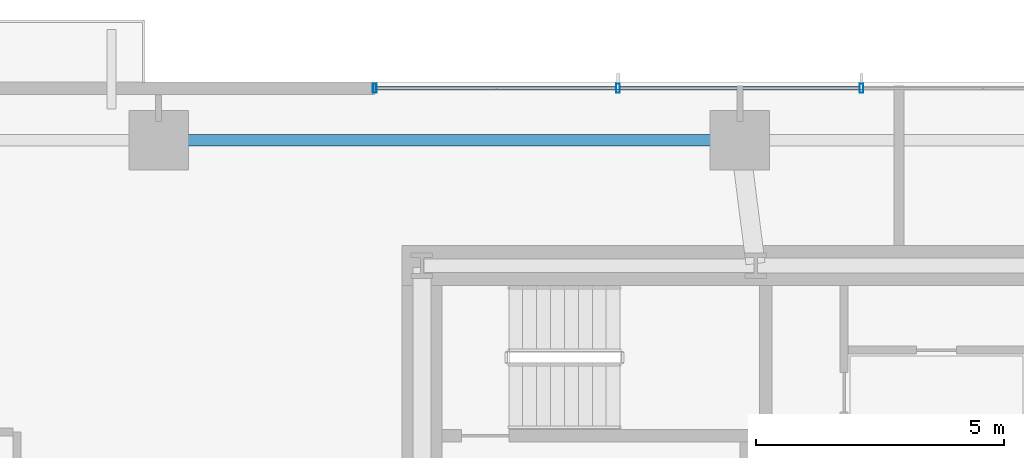
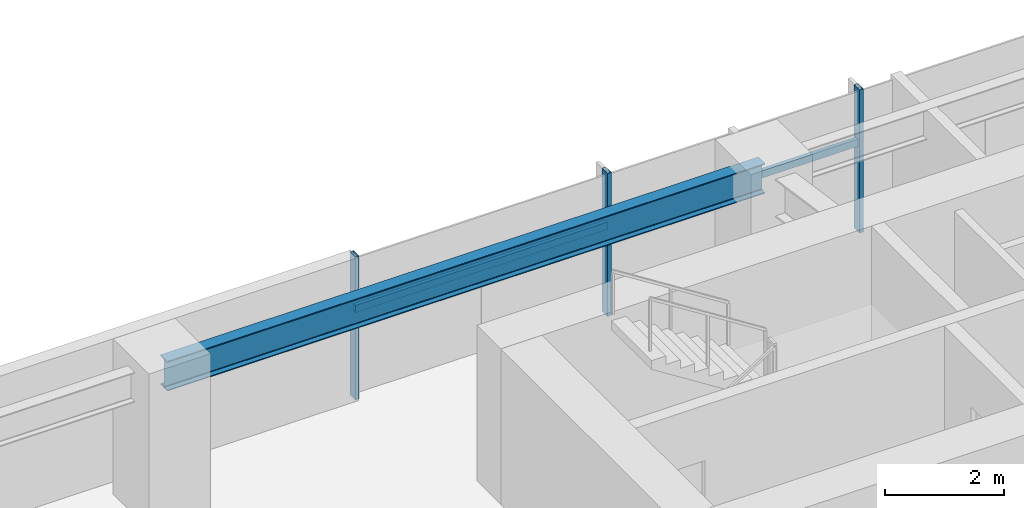
# One storey, part 10 of 25: 5 members, 1 beam, 1 element without a shape of its own.
"""IFC4 building model written with IfcOpenShell, lengths in metres."""

from ifc_helpers import new_model, si_unit, direction, frame, origin, origin_2d, place, context, subcontext, project, spatial, hollow_rectangle, i_section, extrude, source, transform, mapped, material, material_profile, profile_set, type_object, type_shapes, element, aggregate, save


model = new_model("IFC4")

# Units and contexts
model_context = context("Model", 3, precision=1e-05, world=origin(), true_north=direction((0.0, 1.0)))
body_context = subcontext(model_context, "Body", "Model", "MODEL_VIEW")
ifc_project = project(units=[si_unit("LENGTHUNIT", "METRE"), si_unit("AREAUNIT", "SQUARE_METRE"), si_unit("VOLUMEUNIT", "CUBIC_METRE"), si_unit("PLANEANGLEUNIT", "RADIAN"), si_unit("MASSUNIT", "GRAM", prefix="KILO")], contexts=[model_context])

# Site, building, storey
site_placement = place(None, origin())
site = spatial("IfcSite", under=ifc_project, at=site_placement, CompositionType="ELEMENT")
building_placement = place(site_placement, origin())
building = spatial("IfcBuilding", under=site, at=building_placement, Name="Astriad Promenade Condominiums", CompositionType="ELEMENT")
storey_placement = place(building_placement, frame((0.0, 0.0, 35.800048828125)))
storey = spatial("IfcBuildingStorey", under=building, at=storey_placement, Name="L09", CompositionType="ELEMENT", Elevation=35.800048828125)

# Beam
ifc_material_1 = material(Name="Steel ASTM A992 Grade 50", Category="steel")
ifc_material_profile_1 = material_profile(ifc_material_1, i_section(OverallWidth=0.22900390625, OverallDepth=0.612060546875, WebThickness=0.011962890625, FlangeThickness=0.01953125, FilletRadius=0.017822265625, at=origin_2d()), Name="W24X84")
ifc_profile_set_1 = profile_set([ifc_material_profile_1], Name="Steel ASTM A992 Grade 50")
beam_type = type_object("IfcBeamType", Name="STEEL SPANDREL BEAM W24X84", PredefinedType="SPANDREL", material=ifc_profile_set_1)
shared_shape_1 = source(origin(), body_context, "Body", "SweptSolid", [
    extrude(i_section(OverallWidth=0.22900390625, OverallDepth=0.612060546875, WebThickness=0.011962890625, FlangeThickness=0.01953125, FilletRadius=0.017822265625, at=origin_2d()), origin(), (0.0, 0.0, 1.0), 11.6201171875),
])
type_shapes(beam_type, [shared_shape_1])
beam_placement = place(storey_placement, frame((32.760009765625, 26.52001953125, 2.634033203125), z_axis=(-1.0, 0.0, 0.0), x_axis=(0.0, -1.0, 0.0)))
element("IfcBeam", 1, at=beam_placement, inside=storey, type_object=beam_type, Name="Perimeter Spandrel Beam SP-N2-L09", PredefinedType="SPANDREL", context=body_context, shape_type="MappedRepresentation", body=[
    mapped(shared_shape_1, transform((0.0, 0.0, 0.0), scale=1.0)),
])

# Curtain wall, members
ifc_material_2 = material(Name="Anodised aluminium Black Dark Glass Unitised", Category="aluminium")
curtain_wall_type = type_object("IfcCurtainWallType", Name="CW-B1-DARK", PredefinedType="USERDEFINED", material=ifc_material_2)
curtain_wall_placement = place(storey_placement, origin())
curtain_wall = element("IfcCurtainWall", 2, at=curtain_wall_placement, inside=storey, type_object=curtain_wall_type, Name="CW-L09-N", ObjectType="UNITISED_CURTAIN_WALL", PredefinedType="USERDEFINED")
ifc_material_3 = material(Name="Anodised aluminium 6063-T6 Black", Category="aluminium")
ifc_material_profile_2 = material_profile(ifc_material_3, hollow_rectangle(XDim=0.074951171875, YDim=0.18505859375, WallThickness=0.00439453125, at=origin_2d()), Name="ALU-MUL-75X185")
ifc_profile_set_2 = profile_set([ifc_material_profile_2], Name="Anodised aluminium 6063-T6 Black")
member_type_1 = type_object("IfcMemberType", Name="MUL-ALU-MUL-75X185", PredefinedType="MULLION", material=ifc_profile_set_2)
shared_shape_2 = source(origin(), body_context, "Body", "SweptSolid", [
    extrude(hollow_rectangle(XDim=0.074951171875, YDim=0.18505859375, WallThickness=0.00439453125, at=origin_2d()), origin(), (0.0, 0.0, 1.0), 2.93994140625),
])
type_shapes(member_type_1, [shared_shape_2])
member_1_placement = place(storey_placement, frame((25.449951171875, 27.570068359375, 0.0), z_axis=(0.0, 0.0, 1.0), x_axis=(1.0, 0.0, 0.0)))
member_1 = element("IfcMember", 3, at=member_1_placement, type_object=member_type_1, Name="CW-L09-N-MUL-00", PredefinedType="MULLION", context=body_context, shape_type="MappedRepresentation", body=[
    mapped(shared_shape_2, transform((0.0, 0.0, 0.0), scale=1.0)),
])
member_2_placement = place(storey_placement, frame((30.35009765625, 27.570068359375, 0.0), z_axis=(0.0, 0.0, 1.0), x_axis=(1.0, 0.0, 0.0)))
member_2 = element("IfcMember", 4, at=member_2_placement, type_object=member_type_1, Name="CW-L09-N-MUL-01", PredefinedType="MULLION", context=body_context, shape_type="MappedRepresentation", body=[
    mapped(shared_shape_2, transform((0.0, 0.0, 0.0), scale=1.0)),
])
member_3_placement = place(storey_placement, frame((35.25, 27.570068359375, 0.0), z_axis=(0.0, 0.0, 1.0), x_axis=(1.0, 0.0, 0.0)))
member_3 = element("IfcMember", 5, at=member_3_placement, type_object=member_type_1, Name="CW-L09-N-MUL-02", PredefinedType="MULLION", context=body_context, shape_type="MappedRepresentation", body=[
    mapped(shared_shape_2, transform((0.0, 0.0, 0.0), scale=1.0)),
])
ifc_material_profile_3 = material_profile(ifc_material_3, hollow_rectangle(XDim=0.074951171875, YDim=0.14990234375, WallThickness=0.004150390625, at=origin_2d()), Name="ALU-TRN-75X150")
ifc_profile_set_3 = profile_set([ifc_material_profile_3], Name="Anodised aluminium 6063-T6 Black")
member_type_2 = type_object("IfcMemberType", Name="TRN-ALU-TRN-75X150", PredefinedType="USERDEFINED", material=ifc_profile_set_3)
shared_shape_3 = source(origin(), body_context, "Body", "SweptSolid", [
    extrude(hollow_rectangle(XDim=0.074951171875, YDim=0.14990234375, WallThickness=0.004150390625, at=origin_2d()), origin(), (0.0, 0.0, 1.0), 4.900146484375),
])
member_4_placement = place(storey_placement, frame((25.449951171875, 27.570068359375, 1.82275390625), z_axis=(1.0, 0.0, 0.0), x_axis=(0.0, 1.0, 0.0)))
member_4 = element("IfcMember", 6, at=member_4_placement, type_object=member_type_2, Name="CW-L09-N-TRN-00-0", ObjectType="TRANSOM", PredefinedType="USERDEFINED", context=body_context, shape_type="MappedRepresentation", body=[
    mapped(shared_shape_3, transform((0.0, 0.0, 0.0), scale=1.0)),
])
shared_shape_4 = source(origin(), body_context, "Body", "SweptSolid", [
    extrude(hollow_rectangle(XDim=0.074951171875, YDim=0.14990234375, WallThickness=0.004150390625, at=origin_2d()), origin(), (0.0, 0.0, 1.0), 4.89990234375),
])
type_shapes(member_type_2, [shared_shape_3, shared_shape_4])
member_5_placement = place(storey_placement, frame((30.35009765625, 27.570068359375, 1.82275390625), z_axis=(1.0, 0.0, 0.0), x_axis=(0.0, 1.0, 0.0)))
member_5 = element("IfcMember", 7, at=member_5_placement, type_object=member_type_2, Name="CW-L09-N-TRN-01-0", ObjectType="TRANSOM", PredefinedType="USERDEFINED", context=body_context, shape_type="MappedRepresentation", body=[
    mapped(shared_shape_4, transform((0.0, 0.0, 0.0), scale=1.0)),
])
aggregate(curtain_wall, [member_1, member_2, member_3, member_4, member_5])

save(model, "model.ifc")
